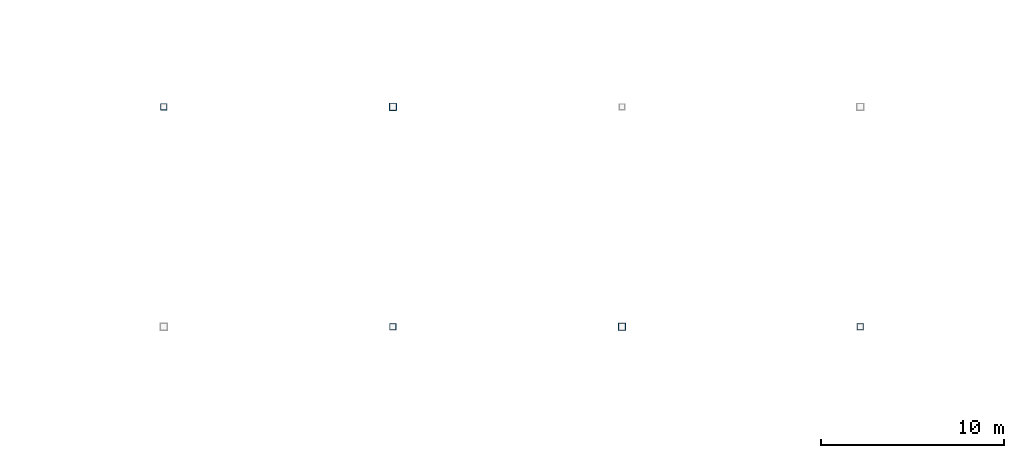
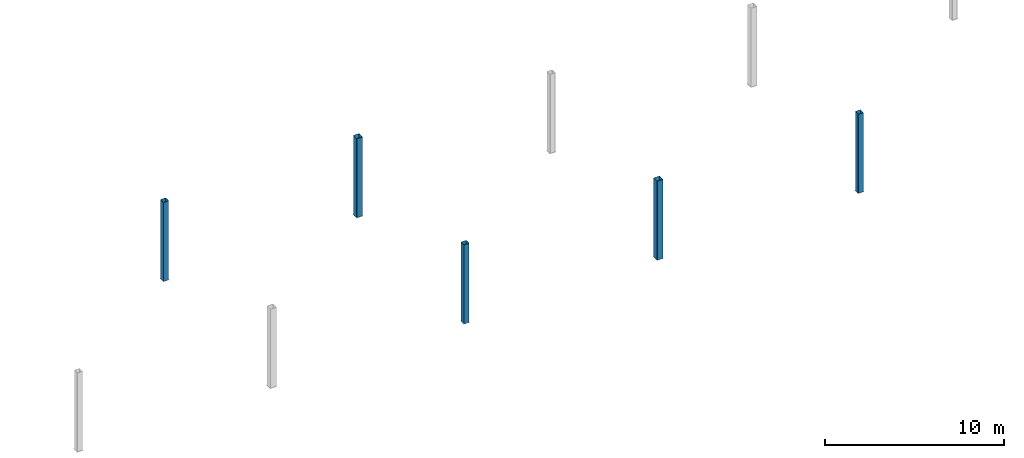
# One storey, part 5 of 76: 5 columns.
"""IFC4 building model written with IfcOpenShell, lengths in metres."""

from ifc_helpers import new_model, si_unit, direction, frame, origin, origin_2d, place, context, subcontext, project, spatial, hollow_rectangle, extrude, material, material_profile, profile_set, type_object, element, save


model = new_model("IFC4")

# Units and contexts
model_context = context("Model", 3, precision=1e-05, world=origin(), true_north=direction((0.0, 1.0)))
body_context = subcontext(model_context, "Body", "Model", "MODEL_VIEW")
ifc_project = project(units=[si_unit("LENGTHUNIT", "METRE"), si_unit("AREAUNIT", "SQUARE_METRE"), si_unit("VOLUMEUNIT", "CUBIC_METRE"), si_unit("PLANEANGLEUNIT", "RADIAN"), si_unit("MASSUNIT", "GRAM", prefix="KILO")], contexts=[model_context])

# Site, building, storey
site_placement = place(None, origin())
site = spatial("IfcSite", under=ifc_project, at=site_placement, CompositionType="ELEMENT")
building_placement = place(site_placement, origin())
building = spatial("IfcBuilding", under=site, at=building_placement, Name="Kazenohara Klinker Stadium", CompositionType="ELEMENT")
storey_placement = place(building_placement, frame((0.0, 0.0, 25.800048828125)))
storey = spatial("IfcBuildingStorey", under=building, at=storey_placement, Name="L05", CompositionType="ELEMENT", Elevation=25.800048828125)

# Columns
ifc_material = material(Name="Steel S355", Category="steel")
ifc_material_profile_1 = material_profile(ifc_material, hollow_rectangle(XDim=0.39990234375, YDim=0.39990234375, WallThickness=0.01611328125, InnerFilletRadius=0.01611328125, OuterFilletRadius=0.031982421875, at=origin_2d()), Name="SHS-400x400x16")
ifc_profile_set_1 = profile_set([ifc_material_profile_1], Name="Steel S355")
column_type_1 = type_object("IfcColumnType", Name="COL-ST01", PredefinedType="COLUMN", material=ifc_profile_set_1)
for number, where, z_axis, x_axis, name in (
    (1, (86.5, 36.0, 0.0), (0.0, 0.0, 1.0), (1.0, 0.0, 0.0), "Canopy ring support column SC01 L05 8/D"),
    (2, (99.0, 24.0, 0.0), (0.0, 0.0, 1.0), (1.0, 0.0, 0.0), "Canopy ring support column SC01 L05 9/C"),
):
    element("IfcColumn", number, at=place(storey_placement, frame(where, z_axis=z_axis, x_axis=x_axis)), inside=storey, type_object=column_type_1, Name=name, PredefinedType="COLUMN", context=body_context, shape_type="SweptSolid", body=[
        extrude(hollow_rectangle(XDim=0.39990234375, YDim=0.39990234375, WallThickness=0.01611328125, InnerFilletRadius=0.01611328125, OuterFilletRadius=0.031982421875, at=origin_2d()), origin(), (0.0, 0.0, 1.0), 5.39990234375),
    ])
ifc_material_profile_2 = material_profile(ifc_material, hollow_rectangle(XDim=0.35009765625, YDim=0.35009765625, WallThickness=0.01611328125, InnerFilletRadius=0.01611328125, OuterFilletRadius=0.031982421875, at=origin_2d()), Name="SHS-350x350x16")
ifc_profile_set_2 = profile_set([ifc_material_profile_2], Name="Steel S355")
column_type_2 = type_object("IfcColumnType", Name="COL-ST02", PredefinedType="COLUMN", material=ifc_profile_set_2)
for number, where, z_axis, x_axis, name in (
    (3, (74.0, 36.0, 0.0), (0.0, 0.0, 1.0), (1.0, 0.0, 0.0), "Canopy ring support column SC02 L05 7/D"),
    (4, (86.5, 24.0, 0.0), (0.0, 0.0, 1.0), (1.0, 0.0, 0.0), "Canopy ring support column SC02 L05 8/C"),
    (5, (112.0, 24.0, 0.0), (0.0, 0.0, 1.0), (1.0, 0.0, 0.0), "Canopy ring support column SC02 L05 10/C"),
):
    element("IfcColumn", number, at=place(storey_placement, frame(where, z_axis=z_axis, x_axis=x_axis)), inside=storey, type_object=column_type_2, Name=name, PredefinedType="COLUMN", context=body_context, shape_type="SweptSolid", body=[
        extrude(hollow_rectangle(XDim=0.35009765625, YDim=0.35009765625, WallThickness=0.01611328125, InnerFilletRadius=0.01611328125, OuterFilletRadius=0.031982421875, at=origin_2d()), origin(), (0.0, 0.0, 1.0), 5.39990234375),
    ])

save(model, "model.ifc")
